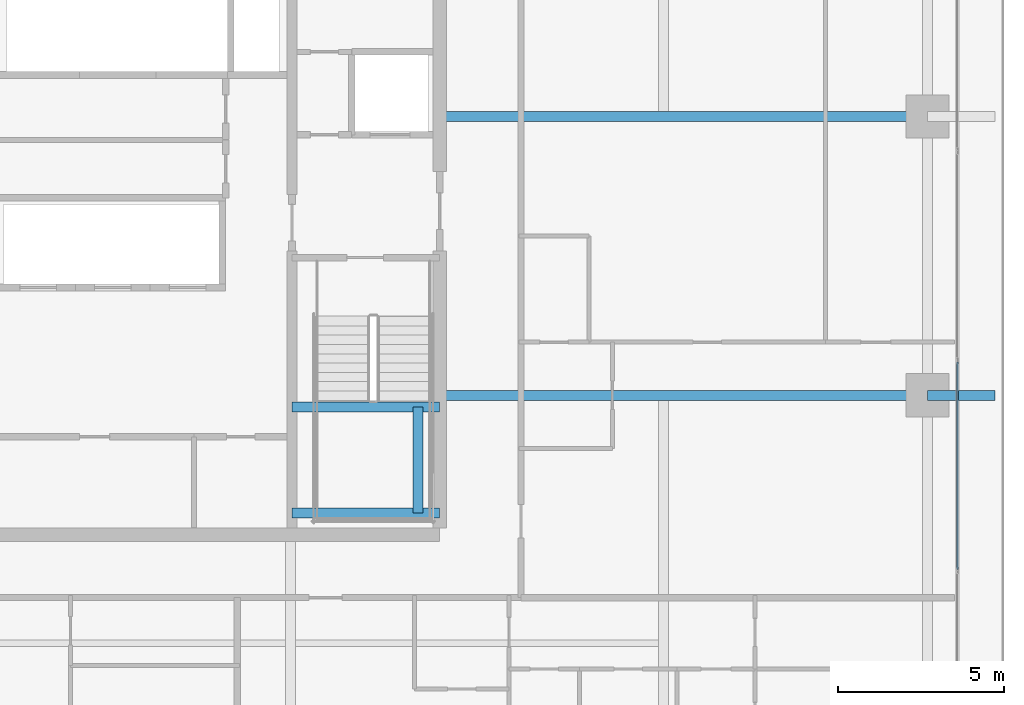
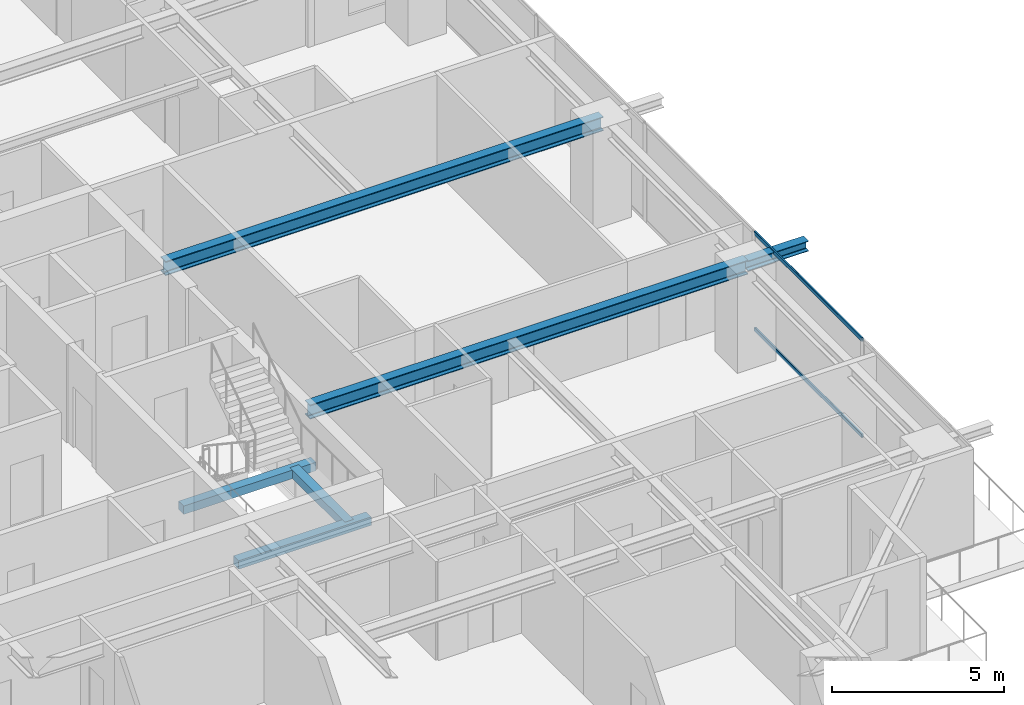
# One storey, part 15 of 37: 6 beams, 2 members, 1 element without a shape of its own.
"""IFC4 building model written with IfcOpenShell, lengths in metres."""

from ifc_helpers import new_model, si_unit, direction, frame, origin, origin_2d, place, context, subcontext, project, spatial, rectangle, hollow_rectangle, i_section, extrude, source, transform, mapped, material, layer, layer_set, material_profile, profile_set, type_object, element, aggregate, save


model = new_model("IFC4")

# Units and contexts
model_context = context("Model", 3, precision=1e-05, world=origin(), true_north=direction((0.0, 1.0)))
body_context = subcontext(model_context, "Body", "Model", "MODEL_VIEW")
ifc_project = project(units=[si_unit("LENGTHUNIT", "METRE"), si_unit("AREAUNIT", "SQUARE_METRE"), si_unit("VOLUMEUNIT", "CUBIC_METRE"), si_unit("PLANEANGLEUNIT", "RADIAN"), si_unit("MASSUNIT", "GRAM", prefix="KILO")], contexts=[model_context])

# Site, building, storey
site_placement = place(None, origin())
site = spatial("IfcSite", under=ifc_project, at=site_placement, CompositionType="ELEMENT")
building_placement = place(site_placement, origin())
building = spatial("IfcBuilding", under=site, at=building_placement, Name="Serunith Strait Residences", CompositionType="ELEMENT")
storey_placement = place(building_placement, frame((0.0, 0.0, 153.89990234375)))
storey = spatial("IfcBuildingStorey", under=building, at=storey_placement, Name="L38", CompositionType="ELEMENT", Elevation=153.89990234375)

# Beams
ifc_material_1 = material(Name="Steel S355J2", Category="steel")
ifc_material_profile_1 = material_profile(ifc_material_1, i_section(OverallWidth=0.300048828125, OverallDepth=0.5, WebThickness=0.014404296875, FlangeThickness=0.028076171875, FilletRadius=0.027099609375, at=origin_2d()), Name="HEB 500")
ifc_profile_set_1 = profile_set([ifc_material_profile_1], Name="Steel S355J2")
beam_type_1 = type_object("IfcBeamType", Name="BM-HEB500", PredefinedType="BEAM", material=ifc_profile_set_1)
shared_shape_1 = source(origin(), body_context, "Body", "SweptSolid", [
    extrude(i_section(OverallWidth=0.300048828125, OverallDepth=0.5, WebThickness=0.014404296875, FlangeThickness=0.028076171875, FilletRadius=0.027099609375, at=origin_2d()), origin(), (0.0, 0.0, 1.0), 14.7001953125),
])
for number, where, z_axis, x_axis, name in (
    (1, (41.39990234375, 21.0, 3.237060546875), (1.0, 0.0, 0.0), (0.0, 1.0, 0.0), "L38 Primary Floor Girder TC-E2"),
    (2, (41.39990234375, 29.39990234375, 3.237060546875), (1.0, 0.0, 0.0), (0.0, 1.0, 0.0), "L38 Primary Floor Girder TC-E3"),
):
    element("IfcBeam", number, at=place(storey_placement, frame(where, z_axis=z_axis, x_axis=x_axis)), inside=storey, type_object=beam_type_1, Name=name, PredefinedType="BEAM", context=body_context, shape_type="MappedRepresentation", body=[
        mapped(shared_shape_1, transform((0.0, 0.0, 0.0), scale=1.0)),
    ])
ifc_material_profile_2 = material_profile(ifc_material_1, i_section(OverallWidth=0.300048828125, OverallDepth=0.360107421875, WebThickness=0.012451171875, FlangeThickness=0.0224609375, FilletRadius=0.027099609375, at=origin_2d()), Name="HEB 360")
ifc_profile_set_2 = profile_set([ifc_material_profile_2], Name="Steel S355J2")
beam_type_2 = type_object("IfcBeamType", Name="BM-HEB360", PredefinedType="BEAM", material=ifc_profile_set_2)
shared_shape_2 = source(origin(), body_context, "Body", "SweptSolid", [
    extrude(i_section(OverallWidth=0.300048828125, OverallDepth=0.360107421875, WebThickness=0.012451171875, FlangeThickness=0.0224609375, FilletRadius=0.027099609375, at=origin_2d()), origin(), (0.0, 0.0, 1.0), 2.02978515625),
])
beam_1_placement = place(storey_placement, frame((56.10009765625, 21.0, 3.277099609375), z_axis=(1.0, 0.0, 0.0), x_axis=(0.0, 1.0, 0.0)))
element("IfcBeam", 3, at=beam_1_placement, inside=storey, type_object=beam_type_2, Name="L39 Cantilevered Balcony Rib TC-E2", PredefinedType="BEAM", context=body_context, shape_type="MappedRepresentation", body=[
    mapped(shared_shape_2, transform((0.0, 0.0, 0.0), scale=1.0)),
])
ifc_material_2 = material(Name="Concrete C60/75", Category="concrete")
ifc_material_profile_3 = material_profile(ifc_material_2, rectangle(XDim=0.300048828125, YDim=0.300048828125, at=origin_2d()), Name="RC 300x300")
ifc_profile_set_3 = profile_set([ifc_material_profile_3], Name="Concrete C60/75")
beam_type_3 = type_object("IfcBeamType", Name="BM-LAND-300x300", PredefinedType="BEAM", material=ifc_profile_set_3)
shared_shape_3 = source(origin(), body_context, "Body", "SweptSolid", [
    extrude(rectangle(XDim=0.300048828125, YDim=0.300048828125, at=origin_2d()), origin(), (0.0, 0.0, 1.0), 3.199951171875),
])
beam_2_placement = place(storey_placement, frame((40.75, 17.449951171875, 1.525146484375), z_axis=(0.0, 1.0, 0.0), x_axis=(-1.0, 0.0, 0.0)))
element("IfcBeam", 4, at=beam_2_placement, inside=storey, type_object=beam_type_3, Name="L38 ST-2 Landing Transverse Tie Beam", PredefinedType="BEAM", context=body_context, shape_type="MappedRepresentation", body=[
    mapped(shared_shape_3, transform((0.0, 0.0, 0.0), scale=1.0)),
])
shared_shape_4 = source(origin(), body_context, "Body", "SweptSolid", [
    extrude(rectangle(XDim=0.300048828125, YDim=0.300048828125, at=origin_2d()), origin(), (0.0, 0.0, 1.0), 4.449951171875),
])
for number, where, z_axis, x_axis, name in (
    (5, (36.949951171875, 17.449951171875, 1.525146484375), (1.0, 0.0, 0.0), (0.0, 1.0, 0.0), "L38 ST-2 Landing Support Beam 1"),
    (6, (36.949951171875, 20.64990234375, 1.525146484375), (1.0, 0.0, 0.0), (0.0, 1.0, 0.0), "L38 ST-2 Landing Support Beam 2"),
):
    element("IfcBeam", number, at=place(storey_placement, frame(where, z_axis=z_axis, x_axis=x_axis)), inside=storey, type_object=beam_type_3, Name=name, PredefinedType="BEAM", context=body_context, shape_type="MappedRepresentation", body=[
        mapped(shared_shape_4, transform((0.0, 0.0, 0.0), scale=1.0)),
    ])

# Curtain wall, members
ifc_material_3 = material(Name="Pale-Champagne Anodised Aluminium", Category="aluminium")
ifc_layer = layer(ifc_material_3, 0.199951171875, Name="Pale-Champagne Anodised Aluminium")
ifc_layer_set = layer_set([ifc_layer], Name="Pale-Champagne Anodised Aluminium")
curtain_wall_type = type_object("IfcCurtainWallType", Name="CW-SYS2", PredefinedType="NOTDEFINED", material=ifc_layer_set)
curtain_wall_placement = place(storey_placement, origin())
curtain_wall = element("IfcCurtainWall", 7, at=curtain_wall_placement, inside=storey, type_object=curtain_wall_type, Name="L38 E Unitised Fritted Curtain Wall", PredefinedType="NOTDEFINED")
ifc_material_profile_4 = material_profile(ifc_material_3, hollow_rectangle(XDim=0.06005859375, YDim=0.139892578125, WallThickness=0.00341796875, InnerFilletRadius=0.00537109375, OuterFilletRadius=0.0087890625, at=origin_2d()), Name="ALU 140x60x3.5")
ifc_profile_set_4 = profile_set([ifc_material_profile_4], Name="Pale-Champagne Anodised Aluminium")
member_type = type_object("IfcMemberType", Name="CW-SYS2-TRAN", PredefinedType="USERDEFINED", material=ifc_profile_set_4)
shared_shape_5 = source(origin(), body_context, "Body", "SweptSolid", [
    extrude(hollow_rectangle(XDim=0.06005859375, YDim=0.139892578125, WallThickness=0.00341796875, InnerFilletRadius=0.00537109375, OuterFilletRadius=0.0087890625, at=origin_2d()), origin(), (0.0, 0.0, 1.0), 6.25),
])
member_1_placement = place(storey_placement, frame((57.0, 15.7548828125, 0.030029296875), z_axis=(0.0, 1.0, 0.0), x_axis=(-1.0, 0.0, 0.0)))
member_1 = element("IfcMember", 8, at=member_1_placement, type_object=member_type, Name="CW-2 transom 2.1", ObjectType="TRANSOM", PredefinedType="USERDEFINED", context=body_context, shape_type="MappedRepresentation", body=[
    mapped(shared_shape_5, transform((0.0, 0.0, 0.0), scale=1.0)),
])
member_2_placement = place(storey_placement, frame((57.0, 15.7548828125, 3.445068359375), z_axis=(0.0, 1.0, 0.0), x_axis=(-1.0, 0.0, 0.0)))
member_2 = element("IfcMember", 9, at=member_2_placement, type_object=member_type, Name="CW-2 transom 2.2", ObjectType="TRANSOM", PredefinedType="USERDEFINED", context=body_context, shape_type="MappedRepresentation", body=[
    mapped(shared_shape_5, transform((0.0, 0.0, 0.0), scale=1.0)),
])
aggregate(curtain_wall, [member_1, member_2])

save(model, "model.ifc")
